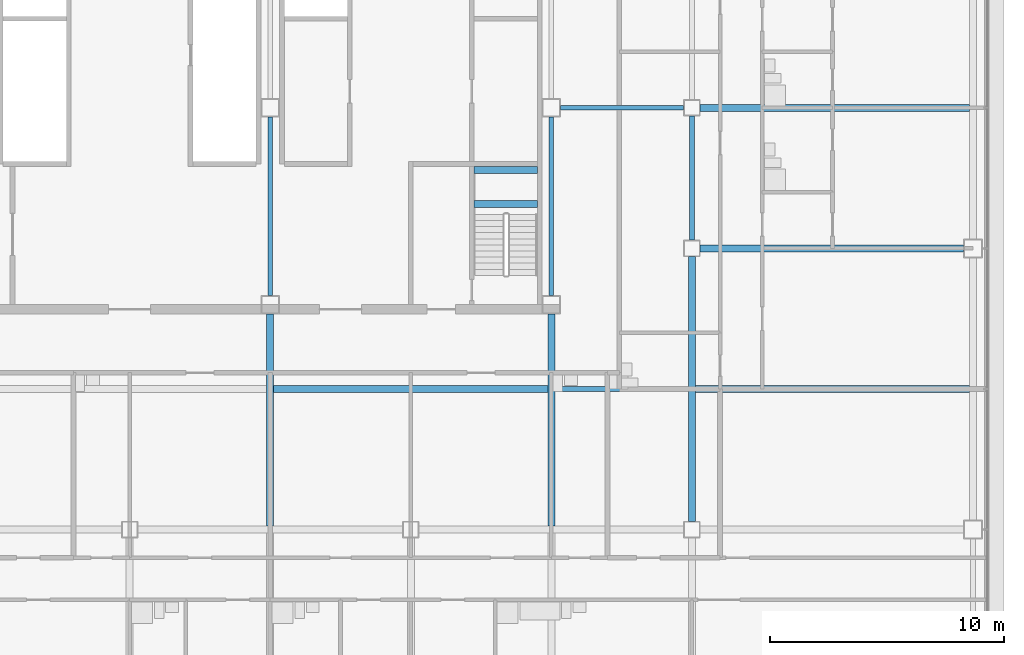
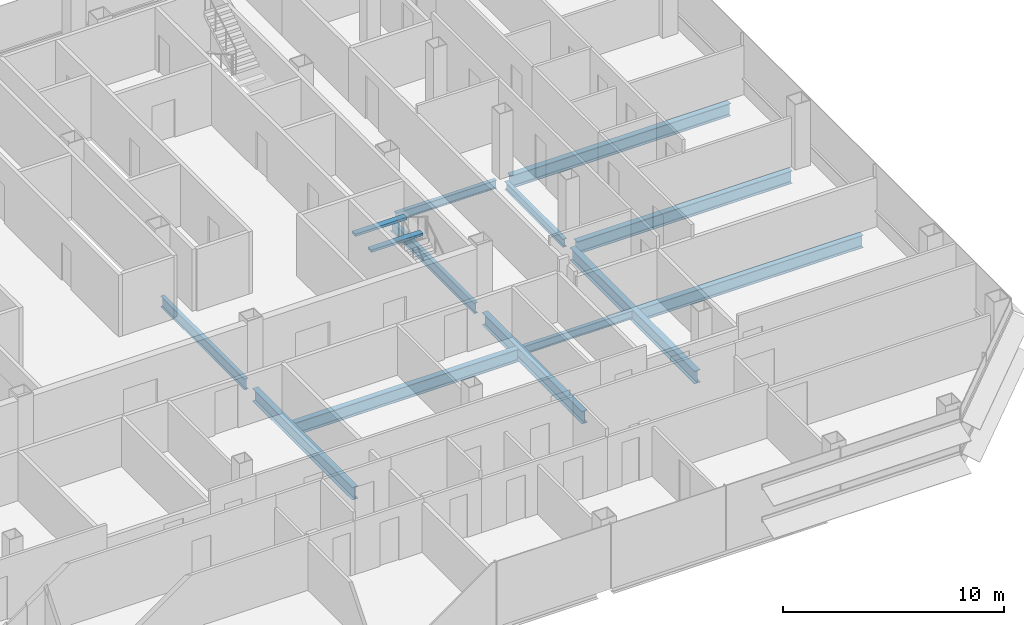
# One storey, part 10 of 25: 14 beams.
"""IFC4 building model written with IfcOpenShell, lengths in metres."""

from ifc_helpers import new_model, si_unit, direction, frame, origin, origin_2d, place, context, subcontext, project, spatial, rectangle, i_section, extrude, material, material_profile, profile_set, type_object, element, save


model = new_model("IFC4")

# Units and contexts
model_context = context("Model", 3, precision=1e-05, world=origin(), true_north=direction((0.0, 1.0)))
body_context = subcontext(model_context, "Body", "Model", "MODEL_VIEW")
ifc_project = project(units=[si_unit("LENGTHUNIT", "METRE"), si_unit("AREAUNIT", "SQUARE_METRE"), si_unit("VOLUMEUNIT", "CUBIC_METRE"), si_unit("PLANEANGLEUNIT", "RADIAN"), si_unit("MASSUNIT", "GRAM", prefix="KILO")], contexts=[model_context])

# Site, building, storey
site_placement = place(None, origin())
site = spatial("IfcSite", under=ifc_project, at=site_placement, CompositionType="ELEMENT")
building_placement = place(site_placement, origin())
building = spatial("IfcBuilding", under=site, at=building_placement, Name="Sorahane Residences", CompositionType="ELEMENT")
storey_placement = place(building_placement, frame((0.0, 0.0, 107.0)))
storey = spatial("IfcBuildingStorey", under=building, at=storey_placement, Name="L23", CompositionType="ELEMENT", Elevation=107.0)

# Beams
ifc_material_1 = material(Name="Concrete C40", Category="concrete")
ifc_material_profile_1 = material_profile(ifc_material_1, rectangle(XDim=0.300048828125, YDim=0.139892578125, at=origin_2d()), Name="300x140")
ifc_profile_set_1 = profile_set([ifc_material_profile_1], Name="Concrete C40")
beam_type_1 = type_object("IfcBeamType", Name="RC landing beam 300 x 140 Concrete C40", PredefinedType="BEAM", material=ifc_profile_set_1)
for number, where, z_axis, x_axis, name in (
    (1, (38.699951171875, 25.89990234375, 1.530029296875), (1.0, 0.0, 0.0), (0.0, 1.0, 0.0), "Landing beam"),
    (2, (38.699951171875, 27.35009765625, 1.530029296875), (1.0, 0.0, 0.0), (0.0, 1.0, 0.0), "Landing beam"),
):
    element("IfcBeam", number, at=place(storey_placement, frame(where, z_axis=z_axis, x_axis=x_axis)), inside=storey, type_object=beam_type_1, Name=name, PredefinedType="BEAM", context=body_context, shape_type="SweptSolid", body=[
        extrude(rectangle(XDim=0.300048828125, YDim=0.139892578125, at=origin_2d()), origin(), (0.0, 0.0, 1.0), 2.699951171875),
    ])
ifc_material_2 = material(Name="Steel Q355B", Category="steel")
ifc_material_profile_2 = material_profile(ifc_material_2, i_section(OverallWidth=0.199951171875, OverallDepth=0.449951171875, WebThickness=0.009033203125, FlangeThickness=0.013916015625, FilletRadius=0.02001953125, at=origin_2d()), Name="HN 450x200x9x14")
ifc_profile_set_2 = profile_set([ifc_material_profile_2], Name="Steel Q355B")
beam_type_2 = type_object("IfcBeamType", Name="Steel floor beam HN 450x200x9x14 Q355B", PredefinedType="BEAM", material=ifc_profile_set_2)
beam_1_placement = place(storey_placement, frame((48.0, 24.35009765625, -0.405029296875), z_axis=(0.0, 1.0, 0.0), x_axis=(-1.0, 0.0, 0.0)))
element("IfcBeam", 3, at=beam_1_placement, inside=storey, type_object=beam_type_2, Name="Beam L23 060", PredefinedType="BEAM", context=body_context, shape_type="SweptSolid", body=[
    extrude(i_section(OverallWidth=0.199951171875, OverallDepth=0.449951171875, WebThickness=0.009033203125, FlangeThickness=0.013916015625, FilletRadius=0.02001953125, at=origin_2d()), origin(), (0.0, 0.0, 1.0), 5.2998046875),
])
beam_2_placement = place(storey_placement, frame((42.14990234375, 18.0, -0.405029296875), z_axis=(1.0, 0.0, 0.0), x_axis=(0.0, 1.0, 0.0)))
element("IfcBeam", 4, at=beam_2_placement, inside=storey, type_object=beam_type_2, Name="Beam L23 083", PredefinedType="BEAM", context=body_context, shape_type="SweptSolid", body=[
    extrude(i_section(OverallWidth=0.199951171875, OverallDepth=0.449951171875, WebThickness=0.009033203125, FlangeThickness=0.013916015625, FilletRadius=0.02001953125, at=origin_2d()), origin(), (0.0, 0.0, 1.0), 5.7001953125),
])
beam_3_placement = place(storey_placement, frame((42.39990234375, 30.0, -0.405029296875), z_axis=(1.0, 0.0, 0.0), x_axis=(0.0, 1.0, 0.0)))
element("IfcBeam", 5, at=beam_3_placement, inside=storey, type_object=beam_type_2, Name="Beam L23 087", PredefinedType="BEAM", context=body_context, shape_type="SweptSolid", body=[
    extrude(i_section(OverallWidth=0.199951171875, OverallDepth=0.449951171875, WebThickness=0.009033203125, FlangeThickness=0.013916015625, FilletRadius=0.02001953125, at=origin_2d()), origin(), (0.0, 0.0, 1.0), 5.25),
])
ifc_material_3 = material(Name="Steel Q355B", Category="steel")
ifc_material_profile_3 = material_profile(ifc_material_3, i_section(OverallWidth=0.199951171875, OverallDepth=0.60009765625, WebThickness=0.010986328125, FlangeThickness=0.01708984375, FilletRadius=0.02392578125, at=origin_2d()), Name="HN 600x200x11x17")
ifc_profile_set_3 = profile_set([ifc_material_profile_3], Name="Steel Q355B")
beam_type_3 = type_object("IfcBeamType", Name="Steel floor beam HN 600x200x11x17 Q355B", PredefinedType="BEAM", material=ifc_profile_set_3)
for number, where, z_axis, x_axis, name in (
    (6, (30.0, 22.0, -0.47998046875), (0.0, 1.0, 0.0), (-1.0, 0.0, 0.0), "Beam L23 046"),
    (7, (42.0, 22.0, -0.47998046875), (0.0, 1.0, 0.0), (-1.0, 0.0, 0.0), "Beam L23 054"),
):
    element("IfcBeam", number, at=place(storey_placement, frame(where, z_axis=z_axis, x_axis=x_axis)), inside=storey, type_object=beam_type_3, Name=name, PredefinedType="BEAM", context=body_context, shape_type="SweptSolid", body=[
        extrude(i_section(OverallWidth=0.199951171875, OverallDepth=0.60009765625, WebThickness=0.010986328125, FlangeThickness=0.01708984375, FilletRadius=0.02392578125, at=origin_2d()), origin(), (0.0, 0.0, 1.0), 7.60009765625),
    ])
ifc_material_4 = material(Name="Steel Q355B", Category="steel")
ifc_material_profile_4 = material_profile(ifc_material_4, i_section(OverallWidth=0.300048828125, OverallDepth=0.699951171875, WebThickness=0.012939453125, FlangeThickness=0.02392578125, FilletRadius=0.028076171875, at=origin_2d()), Name="HN 700x300x13x24")
ifc_profile_set_4 = profile_set([ifc_material_profile_4], Name="Steel Q355B")
beam_type_4 = type_object("IfcBeamType", Name="Steel floor beam HN 700x300x13x24 Q355B", PredefinedType="BEAM", material=ifc_profile_set_4)
beam_4_placement = place(storey_placement, frame((48.35009765625, 24.0, -0.530029296875), z_axis=(1.0, 0.0, 0.0), x_axis=(0.0, 1.0, 0.0)))
element("IfcBeam", 8, at=beam_4_placement, inside=storey, type_object=beam_type_4, Name="Beam L23 012", PredefinedType="BEAM", context=body_context, shape_type="SweptSolid", body=[
    extrude(i_section(OverallWidth=0.300048828125, OverallDepth=0.699951171875, WebThickness=0.012939453125, FlangeThickness=0.02392578125, FilletRadius=0.028076171875, at=origin_2d()), origin(), (0.0, 0.0, 1.0), 11.25),
])
for number, where, z_axis, x_axis, name in (
    (9, (30.0, 12.14990234375, -0.530029296875), (0.0, 1.0, 0.0), (-1.0, 0.0, 0.0), "Beam L23 045"),
    (10, (42.0, 12.14990234375, -0.530029296875), (0.0, 1.0, 0.0), (-1.0, 0.0, 0.0), "Beam L23 053"),
):
    element("IfcBeam", number, at=place(storey_placement, frame(where, z_axis=z_axis, x_axis=x_axis)), inside=storey, type_object=beam_type_4, Name=name, PredefinedType="BEAM", context=body_context, shape_type="SweptSolid", body=[
        extrude(i_section(OverallWidth=0.300048828125, OverallDepth=0.699951171875, WebThickness=0.012939453125, FlangeThickness=0.02392578125, FilletRadius=0.028076171875, at=origin_2d()), origin(), (0.0, 0.0, 1.0), 9.050048828125),
    ])
beam_5_placement = place(storey_placement, frame((48.0, 12.35009765625, -0.530029296875), z_axis=(0.0, 1.0, 0.0), x_axis=(-1.0, 0.0, 0.0)))
element("IfcBeam", 11, at=beam_5_placement, inside=storey, type_object=beam_type_4, Name="Beam L23 059", PredefinedType="BEAM", context=body_context, shape_type="SweptSolid", body=[
    extrude(i_section(OverallWidth=0.300048828125, OverallDepth=0.699951171875, WebThickness=0.012939453125, FlangeThickness=0.02392578125, FilletRadius=0.028076171875, at=origin_2d()), origin(), (0.0, 0.0, 1.0), 11.2998046875),
])
for number, where, z_axis, x_axis, name in (
    (12, (30.14990234375, 18.0, -0.530029296875), (1.0, 0.0, 0.0), (0.0, 1.0, 0.0), "Beam L23 082"),
    (13, (48.14990234375, 18.0, -0.530029296875), (1.0, 0.0, 0.0), (0.0, 1.0, 0.0), "Beam L23 084"),
):
    element("IfcBeam", number, at=place(storey_placement, frame(where, z_axis=z_axis, x_axis=x_axis)), inside=storey, type_object=beam_type_4, Name=name, PredefinedType="BEAM", context=body_context, shape_type="SweptSolid", body=[
        extrude(i_section(OverallWidth=0.300048828125, OverallDepth=0.699951171875, WebThickness=0.012939453125, FlangeThickness=0.02392578125, FilletRadius=0.028076171875, at=origin_2d()), origin(), (0.0, 0.0, 1.0), 11.7001953125),
    ])
beam_6_placement = place(storey_placement, frame((48.35009765625, 30.0, -0.530029296875), z_axis=(1.0, 0.0, 0.0), x_axis=(0.0, 1.0, 0.0)))
element("IfcBeam", 14, at=beam_6_placement, inside=storey, type_object=beam_type_4, Name="Beam L23 088", PredefinedType="BEAM", context=body_context, shape_type="SweptSolid", body=[
    extrude(i_section(OverallWidth=0.300048828125, OverallDepth=0.699951171875, WebThickness=0.012939453125, FlangeThickness=0.02392578125, FilletRadius=0.028076171875, at=origin_2d()), origin(), (0.0, 0.0, 1.0), 11.5),
])

save(model, "model.ifc")
